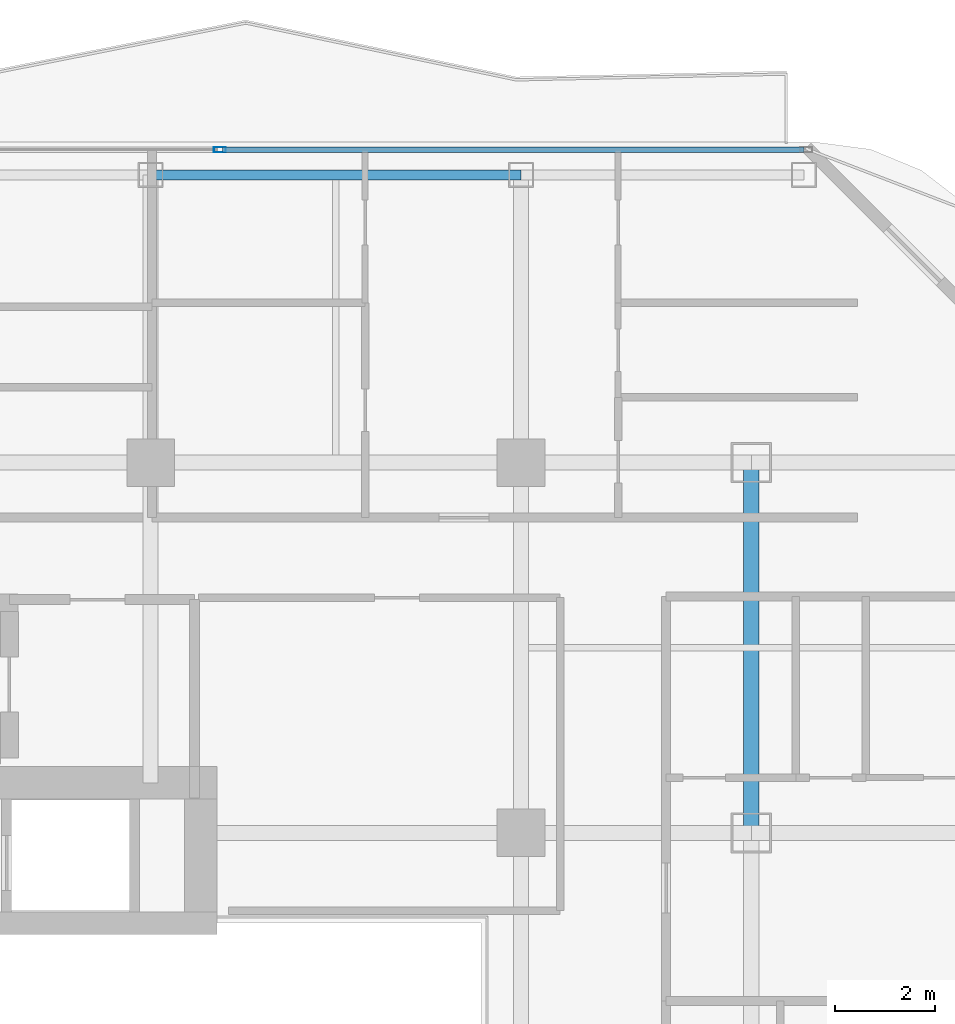
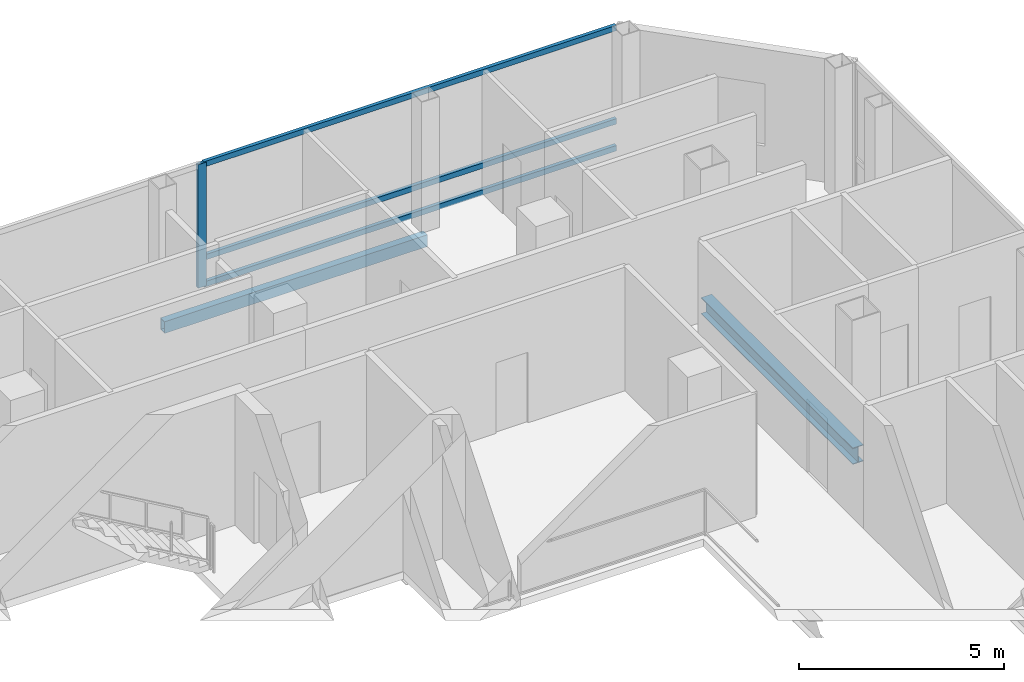
# One storey, part 14 of 24: 4 members, 2 beams, 1 element without a shape of its own.
"""IFC4 building model written with IfcOpenShell, lengths in metres."""

from ifc_helpers import new_model, si_unit, direction, frame, origin, origin_2d, place, context, subcontext, project, spatial, hollow_rectangle, i_section, extrude, material, layer, layer_set, material_profile, profile_set, type_object, element, aggregate, save


model = new_model("IFC4")

# Units and contexts
model_context = context("Model", 3, precision=1e-05, world=origin(), true_north=direction((0.0, 1.0)))
body_context = subcontext(model_context, "Body", "Model", "MODEL_VIEW")
ifc_project = project(units=[si_unit("LENGTHUNIT", "METRE"), si_unit("AREAUNIT", "SQUARE_METRE"), si_unit("VOLUMEUNIT", "CUBIC_METRE"), si_unit("PLANEANGLEUNIT", "RADIAN"), si_unit("MASSUNIT", "GRAM", prefix="KILO")], contexts=[model_context])

# Site, building, storey
site_placement = place(None, origin())
site = spatial("IfcSite", under=ifc_project, at=site_placement, CompositionType="ELEMENT")
building_placement = place(site_placement, origin())
building = spatial("IfcBuilding", under=site, at=building_placement, Name="Khorvyn Point Tower", CompositionType="ELEMENT")
storey_placement = place(building_placement, frame((0.0, 0.0, 266.39990234375)))
storey = spatial("IfcBuildingStorey", under=building, at=storey_placement, Name="L65", CompositionType="ELEMENT", Elevation=266.39990234375)

# Curtain wall, members
ifc_material_1 = material(Name="Anodised aluminium 6063-T6 and laminated Low-E glass", Category="aluminium")
ifc_layer = layer(ifc_material_1, 0.18994140625)
ifc_layer_set = layer_set([ifc_layer], Name="Stick-Built High-Wind Curtain Wall CW-SYS-04")
curtain_wall_type = type_object("IfcCurtainWallType", Name="Stick-Built High-Wind Curtain Wall CW-SYS-04", PredefinedType="NOTDEFINED", material=ifc_layer_set)
curtain_wall_placement = place(storey_placement, origin())
curtain_wall = element("IfcCurtainWall", 1, at=curtain_wall_placement, inside=storey, type_object=curtain_wall_type, Name="Curtain Wall", PredefinedType="NOTDEFINED")
ifc_material_2 = material(Name="Anodised aluminium 6063-T6", Category="aluminium")
ifc_material_profile_1 = material_profile(ifc_material_2, hollow_rectangle(XDim=0.10009765625, YDim=0.239990234375, WallThickness=0.0048828125, at=origin_2d()))
ifc_profile_set_1 = profile_set([ifc_material_profile_1], Name="Anodised aluminium 6063-T6 ALU-MUL-100x240")
member_type_1 = type_object("IfcMemberType", Name="Anodised Aluminium 6063-T6 Mullion ALU-MUL-100x240", PredefinedType="MULLION", material=ifc_profile_set_1)
member_1_placement = place(storey_placement, frame((8.782470703125, 21.050048828125, 0.0), z_axis=(0.0, 0.0, 1.0), x_axis=(0.0, 1.0, 0.0)))
member_1 = element("IfcMember", 2, at=member_1_placement, type_object=member_type_1, Name="Transom", PredefinedType="MULLION", context=body_context, shape_type="SweptSolid", body=[
    extrude(hollow_rectangle(XDim=0.10009765625, YDim=0.239990234375, WallThickness=0.0048828125, at=origin_2d()), origin(), (0.0, 0.0, 1.0), 3.68017578125),
])
ifc_material_profile_2 = material_profile(ifc_material_2, hollow_rectangle(XDim=0.10009765625, YDim=0.159912109375, WallThickness=0.00439453125, at=origin_2d()))
ifc_profile_set_2 = profile_set([ifc_material_profile_2], Name="Anodised aluminium 6063-T6 ALU-TRN-100x160")
member_type_2 = type_object("IfcMemberType", Name="Anodised Aluminium 6063-T6 Transom ALU-TRN-100x160", PredefinedType="USERDEFINED", material=ifc_profile_set_2)
member_2_placement = place(storey_placement, frame((8.83251953125, 21.050048828125, 0.050048828125), z_axis=(1.0, 0.0, 0.0), x_axis=(0.0, 1.0, 0.0)))
member_2 = element("IfcMember", 3, at=member_2_placement, type_object=member_type_2, Name="Transom", ObjectType="TRANSOM", PredefinedType="USERDEFINED", context=body_context, shape_type="SweptSolid", body=[
    extrude(hollow_rectangle(XDim=0.10009765625, YDim=0.159912109375, WallThickness=0.00439453125, at=origin_2d()), origin(), (0.0, 0.0, 1.0), 11.617431640625),
])
member_3_placement = place(storey_placement, frame((8.83251953125, 21.050048828125, 0.85009765625), z_axis=(1.0, 0.0, 0.0), x_axis=(0.0, 1.0, 0.0)))
member_3 = element("IfcMember", 4, at=member_3_placement, type_object=member_type_2, Name="Transom", ObjectType="TRANSOM", PredefinedType="USERDEFINED", context=body_context, shape_type="SweptSolid", body=[
    extrude(hollow_rectangle(XDim=0.10009765625, YDim=0.159912109375, WallThickness=0.00439453125, at=origin_2d()), origin(), (0.0, 0.0, 1.0), 11.617431640625),
])
member_4_placement = place(storey_placement, frame((8.83251953125, 21.050048828125, 3.630126953125), z_axis=(1.0, 0.0, 0.0), x_axis=(0.0, 1.0, 0.0)))
member_4 = element("IfcMember", 5, at=member_4_placement, type_object=member_type_2, Name="Transom", ObjectType="TRANSOM", PredefinedType="USERDEFINED", context=body_context, shape_type="SweptSolid", body=[
    extrude(hollow_rectangle(XDim=0.10009765625, YDim=0.159912109375, WallThickness=0.00439453125, at=origin_2d()), origin(), (0.0, 0.0, 1.0), 11.617431640625),
])
aggregate(curtain_wall, [member_1, member_2, member_3, member_4])

# Beams
ifc_material_3 = material(Name="Steel S355", Category="steel")
ifc_material_profile_3 = material_profile(ifc_material_3, i_section(OverallWidth=0.300048828125, OverallDepth=0.488037109375, WebThickness=0.010986328125, FlangeThickness=0.01806640625, at=origin_2d()))
ifc_profile_set_3 = profile_set([ifc_material_profile_3], Name="Steel S355 H488x300x11x18")
beam_type_1 = type_object("IfcBeamType", Name="Steel S355 Spandrel H488x300x11x18", PredefinedType="SPANDREL", material=ifc_profile_set_3)
beam_1_placement = place(storey_placement, frame((19.39990234375, 7.39990234375, -0.4638671875), z_axis=(0.0, 1.0, 0.0), x_axis=(-1.0, 0.0, 0.0)))
element("IfcBeam", 6, at=beam_1_placement, inside=storey, type_object=beam_type_1, Name="Beam", PredefinedType="SPANDREL", context=body_context, shape_type="SweptSolid", body=[
    extrude(i_section(OverallWidth=0.300048828125, OverallDepth=0.488037109375, WebThickness=0.010986328125, FlangeThickness=0.01806640625, at=origin_2d()), origin(), (0.0, 0.0, 1.0), 7.400146484375),
])
ifc_material_profile_4 = material_profile(ifc_material_3, hollow_rectangle(XDim=0.199951171875, YDim=0.35009765625, WallThickness=0.013916015625, at=origin_2d()))
ifc_profile_set_4 = profile_set([ifc_material_profile_4], Name="Steel S355 RHS350x200x14")
beam_type_2 = type_object("IfcBeamType", Name="Steel S355 Spandrel RHS350x200x14", PredefinedType="SPANDREL", material=ifc_profile_set_4)
beam_2_placement = place(storey_placement, frame((7.39990234375, 20.550048828125, -0.39501953125), z_axis=(1.0, 0.0, 0.0), x_axis=(0.0, 1.0, 0.0)))
element("IfcBeam", 7, at=beam_2_placement, inside=storey, type_object=beam_type_2, Name="Beam", PredefinedType="SPANDREL", context=body_context, shape_type="SweptSolid", body=[
    extrude(hollow_rectangle(XDim=0.199951171875, YDim=0.35009765625, WallThickness=0.013916015625, at=origin_2d()), origin(), (0.0, 0.0, 1.0), 7.400146484375),
])

save(model, "model.ifc")
